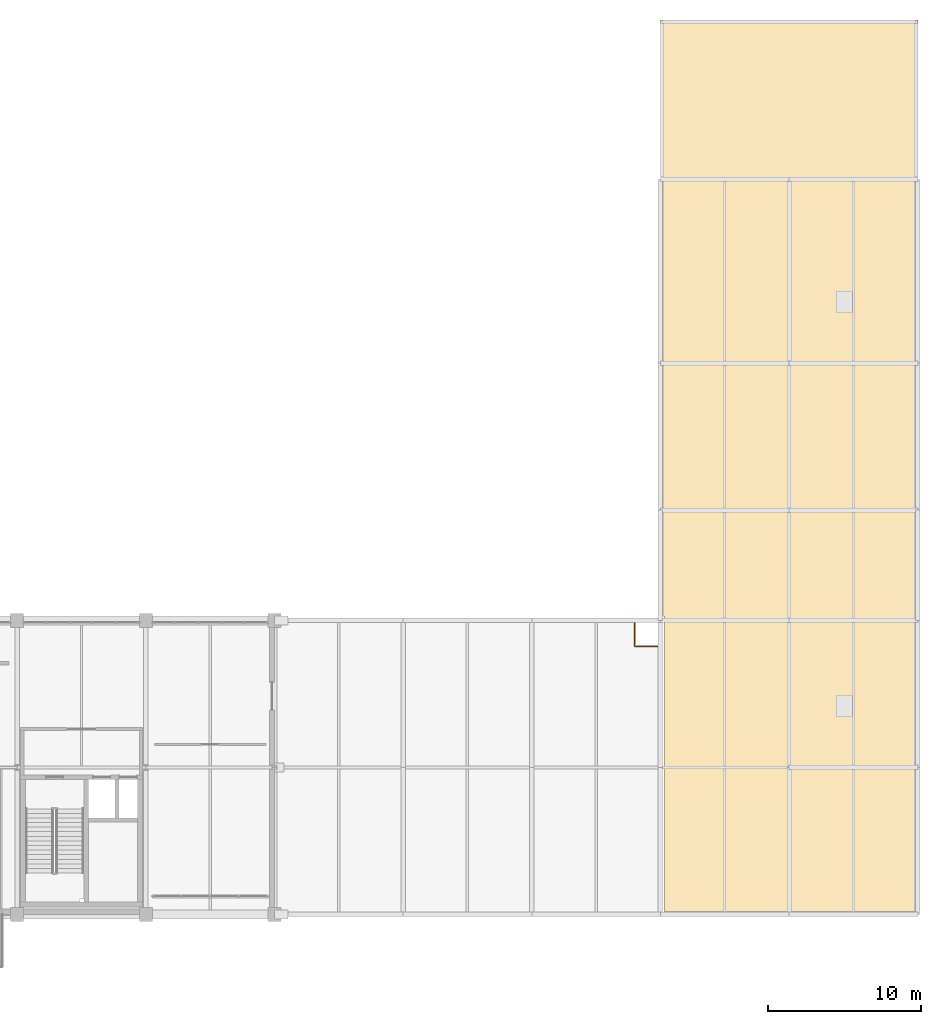
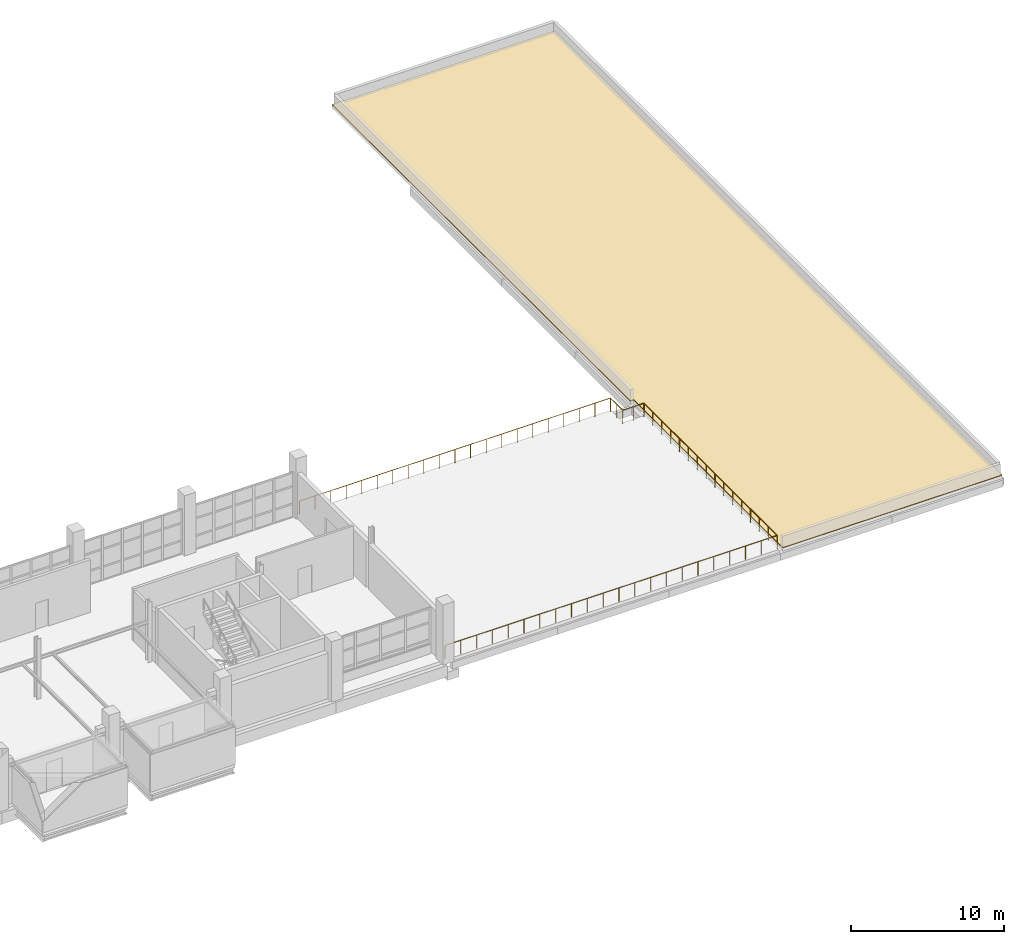
# One storey, part 29 of 29: 1 covering, 1 railing.
"""IFC4 building model written with IfcOpenShell, lengths in metres."""

import ifcopenshell
import ifcopenshell.guid

model = None  # the IFC model being written
_history = None  # IfcOwnerHistory: only IFC2X3 demands one
_inside = {}  # id of a spatial element -> (the spatial element, [elements in it])
_under = {}  # id of a project, library or spatial element -> (it, [spatial elements below it])
_declared = {}  # id of a project -> (the project, [libraries it declares])
_typed = {}  # id of a type object -> (the type object, [elements of that type])
_made_of = {}  # id of a material, layer set ... -> (it, [elements and type objects made of it])


def new_model(schema):
    """Start an empty IFC model of exactly this schema.

    Asked for "IFC4X3", IfcOpenShell would pick the latest addendum, in which some entities
    have other attributes; the version numbers below select the first issue.
    IFC2X3 requires an IfcOwnerHistory on every rooted entity: one is made here for all.
    """
    global model, _history
    if schema == "IFC4X3":
        model = ifcopenshell.file(schema_version=(4, 3, 0, 0))
    else:
        model = ifcopenshell.file(schema=schema)
    _inside.clear()
    _under.clear()
    _declared.clear()
    _typed.clear()
    _made_of.clear()
    _history = None
    if model.schema == "IFC2X3":
        org = make("IfcOrganization", Name="unknown")
        user = make(
            "IfcPersonAndOrganization",
            ThePerson=make("IfcPerson", FamilyName="unknown"),
            TheOrganization=org,
        )
        app = make(
            "IfcApplication",
            ApplicationDeveloper=org,
            Version="unknown",
            ApplicationFullName="unknown",
            ApplicationIdentifier="unknown",
        )
        _history = make(
            "IfcOwnerHistory",
            OwningUser=user,
            OwningApplication=app,
            ChangeAction="ADDED",
            CreationDate=0,
        )
    return model


def make(cls, **values):
    """One entity of the class cls with the attributes given. An attribute that is None is left unset."""
    return model.create_entity(
        cls, **{name: value for name, value in values.items() if value is not None}
    )


def rooted(cls, **values):
    """An entity with a GlobalId (a new one), such as an element, a storey or a relation."""
    return make(cls, GlobalId=ifcopenshell.guid.new(), OwnerHistory=_history, **values)


def si_unit(unit_type, name, prefix=None):
    """IfcSIUnit, for example si_unit("LENGTHUNIT", "METRE", prefix="MILLI")."""
    return make("IfcSIUnit", UnitType=unit_type, Prefix=prefix, Name=name)


def assignment(units):
    """IfcUnitAssignment: the units of a project."""
    return None if units is None else make("IfcUnitAssignment", Units=units)


def point(xyz):
    """IfcCartesianPoint."""
    return None if xyz is None else make("IfcCartesianPoint", Coordinates=xyz)


def direction(xyz):
    """IfcDirection."""
    return None if xyz is None else make("IfcDirection", DirectionRatios=xyz)


def frame(location, z_axis=None, x_axis=None):
    """IfcAxis2Placement3D, a coordinate frame: its origin and axes. An axis left out is left unset."""
    return make(
        "IfcAxis2Placement3D",
        Location=point(location),
        Axis=direction(z_axis),
        RefDirection=direction(x_axis),
    )


def frame_2d(location, x_axis=None):
    """IfcAxis2Placement2D, a coordinate frame in the plane: its origin and x axis."""
    return make(
        "IfcAxis2Placement2D", Location=point(location), RefDirection=direction(x_axis)
    )


def origin():
    """The frame at (0, 0, 0) with its axes left unset."""
    return frame((0.0, 0.0, 0.0))


def origin_2d():
    """The frame at (0, 0) in the plane with its x axis left unset."""
    return frame_2d((0.0, 0.0))


def place(relative_to, where):
    """IfcLocalPlacement: puts the frame where relative to a parent placement (None: the world)."""
    return make(
        "IfcLocalPlacement", PlacementRelTo=relative_to, RelativePlacement=where
    )


def context(
    kind, dimensions, precision=None, world=None, true_north=None, identifier=None
):
    """IfcGeometricRepresentationContext, for example the 3D "Model" context."""
    return make(
        "IfcGeometricRepresentationContext",
        ContextIdentifier=identifier,
        ContextType=kind,
        CoordinateSpaceDimension=dimensions,
        Precision=precision,
        WorldCoordinateSystem=world,
        TrueNorth=true_north,
    )


def subcontext(parent, identifier, kind, view, scale=None):
    """IfcGeometricRepresentationSubContext, for example "Body" below "Model"."""
    return make(
        "IfcGeometricRepresentationSubContext",
        ContextIdentifier=identifier,
        ContextType=kind,
        ParentContext=parent,
        TargetScale=scale,
        TargetView=view,
    )


def project(units=None, contexts=None):
    """IfcProject with its units and contexts."""
    return rooted(
        "IfcProject",
        Name="project",
        RepresentationContexts=contexts,
        UnitsInContext=assignment(units),
    )


def spatial(cls, under=None, at=None, **own):
    """A site, building, storey or space (cls), placed at a placement, below another one or the project."""
    s = rooted(cls, ObjectPlacement=at, **own)
    if under is not None:
        _under.setdefault(under.id(), (under, []))[1].append(s)
    return s


def polyline(points):
    """IfcPolyline through the points."""
    return make("IfcPolyline", Points=[point(p) for p in points])


def profile(cls, at=None, kind="AREA", **sizes):
    """A parametric profile (cls). Its sizes go by their IFC names, for example OverallWidth=200.0."""
    return make(cls, ProfileType=kind, Position=at, **sizes)


def circle(**sizes):
    """IfcCircleProfileDef."""
    return profile("IfcCircleProfileDef", **sizes)


def outline(outer, holes=None, kind="AREA"):
    """IfcArbitraryClosedProfileDef: a profile drawn as a closed curve; with holes, ...WithVoids."""
    if holes is None:
        return make("IfcArbitraryClosedProfileDef", ProfileType=kind, OuterCurve=outer)
    return make(
        "IfcArbitraryProfileDefWithVoids",
        ProfileType=kind,
        OuterCurve=outer,
        InnerCurves=holes,
    )


def extrude(swept, where, along, depth):
    """IfcExtrudedAreaSolid: the profile swept, set in the frame where, extruded along a direction by depth."""
    return make(
        "IfcExtrudedAreaSolid",
        SweptArea=swept,
        Position=where,
        ExtrudedDirection=direction(along),
        Depth=depth,
    )


def shape(context_of_items, identifier, shape_type, items):
    """IfcShapeRepresentation: the items that make up one representation, for example the "Body"."""
    return make(
        "IfcShapeRepresentation",
        ContextOfItems=context_of_items,
        RepresentationIdentifier=identifier,
        RepresentationType=shape_type,
        Items=items,
    )


def material(Name=None, Category=None):
    """IfcMaterial."""
    return make("IfcMaterial", Name=Name, Category=Category)


def layer(
    of_material, thickness, ventilated=None, Name=None, Category=None, Priority=None
):
    """IfcMaterialLayer: one layer of a wall or slab, of a material (None: an air gap)."""
    return make(
        "IfcMaterialLayer",
        Material=of_material,
        LayerThickness=thickness,
        IsVentilated=ventilated,
        Name=Name,
        Category=Category,
        Priority=Priority,
    )


def layer_set(layers, Name=None):
    """IfcMaterialLayerSet."""
    return make("IfcMaterialLayerSet", MaterialLayers=layers, LayerSetName=Name)


def made_of(thing, what):
    """Note that an element or type object is made of a material, layer set ...; save() writes the relation."""
    if what is not None:
        _made_of.setdefault(what.id(), (what, []))[1].append(thing)
    return thing


def type_object(cls, material=None, **own):
    """A type object (cls), such as IfcWallType, which elements share."""
    return made_of(rooted(cls, **own), material)


def element(
    cls,
    number,
    at=None,
    inside=None,
    cuts=None,
    type_object=None,
    material=None,
    context=None,
    identifier="Body",
    shape_type=None,
    held_by="IfcProductDefinitionShape",
    body=None,
    shapes=None,
    **own,
):
    """One element of the class cls, such as IfcWall. Its Tag is "e" and its number.

    at: its placement. inside: the storey or other place that contains it. cuts: it is an
    opening in that element (IfcRelVoidsElement). A single representation is given by context,
    identifier, shape_type and body (its items); several are given by shapes. held_by: the class
    of the entity that holds the representations. save() writes the other relations.
    """
    e = rooted(cls, Tag="e%d" % number, ObjectPlacement=at, **own)
    if body is not None:
        shapes = [shape(context, identifier, shape_type, body)]
    if shapes is not None:
        e.Representation = make(held_by, Representations=shapes)
    if inside is not None:
        _inside.setdefault(inside.id(), (inside, []))[1].append(e)
    if cuts is not None:
        rooted(
            "IfcRelVoidsElement", RelatingBuildingElement=cuts, RelatedOpeningElement=e
        )
    if type_object is not None:
        _typed.setdefault(type_object.id(), (type_object, []))[1].append(e)
    return made_of(e, material)


def aggregate(whole, parts):
    """IfcRelAggregates: a whole, such as a stair, and the parts it consists of."""
    return rooted("IfcRelAggregates", RelatingObject=whole, RelatedObjects=parts)


def save(model, path):
    """Write the relations noted so far, then the file.

    IfcRelAggregates (storeys below a building ...), IfcRelContainedInSpatialStructure (elements
    in a storey), IfcRelDefinesByType, IfcRelAssociatesMaterial and IfcRelDeclares: one each for
    every whole, place, type object, material and project.
    """
    for whole, parts in _under.values():
        aggregate(whole, parts)
    for where, things in _inside.values():
        rooted(
            "IfcRelContainedInSpatialStructure",
            RelatedElements=things,
            RelatingStructure=where,
        )
    for kind, things in _typed.values():
        rooted("IfcRelDefinesByType", RelatedObjects=things, RelatingType=kind)
    for what, things in _made_of.values():
        rooted("IfcRelAssociatesMaterial", RelatedObjects=things, RelatingMaterial=what)
    for by, libraries in _declared.values():
        rooted("IfcRelDeclares", RelatingContext=by, RelatedDefinitions=libraries)
    model.write(path)


model = new_model("IFC4")

# Units and contexts
model_context = context("Model", 3, precision=1e-05, world=origin(), true_north=direction((0.0, 1.0)))
body_context = subcontext(model_context, "Body", "Model", "MODEL_VIEW")
ifc_project = project(units=[si_unit("LENGTHUNIT", "METRE"), si_unit("AREAUNIT", "SQUARE_METRE"), si_unit("VOLUMEUNIT", "CUBIC_METRE"), si_unit("PLANEANGLEUNIT", "RADIAN"), si_unit("MASSUNIT", "GRAM", prefix="KILO")], contexts=[model_context])

# Site, building, storey
site_placement = place(None, origin())
site = spatial("IfcSite", under=ifc_project, at=site_placement, CompositionType="ELEMENT")
building_placement = place(site_placement, origin())
building = spatial("IfcBuilding", under=site, at=building_placement, Name="Veltarok Museum of Natural Sciences", CompositionType="ELEMENT")
storey_placement = place(building_placement, frame((0.0, 0.0, 26.39990234375)))
storey = spatial("IfcBuildingStorey", under=building, at=storey_placement, Name="L05", CompositionType="ELEMENT", Elevation=26.39990234375)

# Covering
ifc_material_1 = material(Name="EPDM waterproofing membrane")
ifc_layer = layer(ifc_material_1, 0.06005859375)
ifc_layer_set = layer_set([ifc_layer], Name="EPDM waterproofing membrane")
covering_type = type_object("IfcCoveringType", Name="EPDM Waterproofing and Acoustic Roof Membrane 60", PredefinedType="ROOFING", material=ifc_layer_set)
covering_placement = place(storey_placement, origin())
element("IfcCovering", 1, at=covering_placement, inside=storey, type_object=covering_type, Name="Roof Waterproofing RF-V5A", PredefinedType="ROOFING", context=body_context, shape_type="SweptSolid", body=[
    extrude(outline(polyline([(149.199951171875, 58.39990234375), (149.199951171875, 0.0), (132.64990234375, 0.0), (132.64990234375, 19.449951171875), (132.39990234375, 19.449951171875), (132.39990234375, 58.39990234375), (149.199951171875, 58.39990234375)])), origin(), (0.0, 0.0, 1.0), 0.06005859375),
])

# Railing
ifc_material_2 = material(Name="Steel S355J2", Category="steel")
railing_type = type_object("IfcRailingType", Name="Outdoor Terrace Steel and Laminated Glass Guardrail 1100", PredefinedType="GUARDRAIL", material=ifc_material_2)
railing_placement = place(storey_placement, frame((107.2451171875, 0.10009765625, 0.0)))
element("IfcRailing", 2, at=railing_placement, inside=storey, type_object=railing_type, Name="Terrace Guardrail TER-L05-E1", PredefinedType="GUARDRAIL", context=body_context, shape_type="SweptSolid", body=[
    extrude(circle(Radius=0.02490234375, at=origin_2d()), frame((0.0, 0.0, 1.0751953125), z_axis=(1.0, 0.0, 0.0), x_axis=(0.0, 1.0, 0.0)), (0.0, 0.0, 1.0), 25.054931640625),
    extrude(circle(Radius=0.02490234375, at=origin_2d()), frame((25.054931640625, 0.0, 1.0751953125), z_axis=(0.0, 1.0, 0.0), x_axis=(-1.0, 0.0, 0.0)), (0.0, 0.0, 1.0), 17.39990234375),
    extrude(circle(Radius=0.02490234375, at=origin_2d()), frame((25.054931640625, 17.39990234375, 1.0751953125), z_axis=(-1.0, 0.0, 0.0), x_axis=(0.0, -1.0, 0.0)), (0.0, 0.0, 1.0), 1.60009765625),
    extrude(circle(Radius=0.02490234375, at=origin_2d()), frame((23.454833984375, 17.39990234375, 1.0751953125), z_axis=(0.0, 1.0, 0.0), x_axis=(-1.0, 0.0, 0.0)), (0.0, 0.0, 1.0), 1.60009765625),
    extrude(circle(Radius=0.02490234375, at=origin_2d()), frame((23.454833984375, 19.0, 1.0751953125), z_axis=(-1.0, 0.0, 0.0), x_axis=(0.0, -1.0, 0.0)), (0.0, 0.0, 1.0), 23.454833984375),
    extrude(circle(Radius=0.02099609375, at=origin_2d()), origin(), (0.0, 0.0, 1.0), 1.050048828125),
    extrude(circle(Radius=0.02099609375, at=origin_2d()), frame((1.193115234375, 0.0, 0.0)), (0.0, 0.0, 1.0), 1.050048828125),
    extrude(circle(Radius=0.02099609375, at=origin_2d()), frame((2.38623046875, 0.0, 0.0)), (0.0, 0.0, 1.0), 1.050048828125),
    extrude(circle(Radius=0.02099609375, at=origin_2d()), frame((3.579345703125, 0.0, 0.0)), (0.0, 0.0, 1.0), 1.050048828125),
    extrude(circle(Radius=0.02099609375, at=origin_2d()), frame((4.7724609375, 0.0, 0.0)), (0.0, 0.0, 1.0), 1.050048828125),
    extrude(circle(Radius=0.02099609375, at=origin_2d()), frame((5.965576171875, 0.0, 0.0)), (0.0, 0.0, 1.0), 1.050048828125),
    extrude(circle(Radius=0.02099609375, at=origin_2d()), frame((7.158447265625, 0.0, 0.0)), (0.0, 0.0, 1.0), 1.050048828125),
    extrude(circle(Radius=0.02099609375, at=origin_2d()), frame((8.3515625, 0.0, 0.0)), (0.0, 0.0, 1.0), 1.050048828125),
    extrude(circle(Radius=0.02099609375, at=origin_2d()), frame((9.544677734375, 0.0, 0.0)), (0.0, 0.0, 1.0), 1.050048828125),
    extrude(circle(Radius=0.02099609375, at=origin_2d()), frame((10.73779296875, 0.0, 0.0)), (0.0, 0.0, 1.0), 1.050048828125),
    extrude(circle(Radius=0.02099609375, at=origin_2d()), frame((11.930908203125, 0.0, 0.0)), (0.0, 0.0, 1.0), 1.050048828125),
    extrude(circle(Radius=0.02099609375, at=origin_2d()), frame((13.1240234375, 0.0, 0.0)), (0.0, 0.0, 1.0), 1.050048828125),
    extrude(circle(Radius=0.02099609375, at=origin_2d()), frame((14.317138671875, 0.0, 0.0)), (0.0, 0.0, 1.0), 1.050048828125),
    extrude(circle(Radius=0.02099609375, at=origin_2d()), frame((15.51025390625, 0.0, 0.0)), (0.0, 0.0, 1.0), 1.050048828125),
    extrude(circle(Radius=0.02099609375, at=origin_2d()), frame((16.703369140625, 0.0, 0.0)), (0.0, 0.0, 1.0), 1.050048828125),
    extrude(circle(Radius=0.02099609375, at=origin_2d()), frame((17.896484375, 0.0, 0.0)), (0.0, 0.0, 1.0), 1.050048828125),
    extrude(circle(Radius=0.02099609375, at=origin_2d()), frame((19.08935546875, 0.0, 0.0)), (0.0, 0.0, 1.0), 1.050048828125),
    extrude(circle(Radius=0.02099609375, at=origin_2d()), frame((20.282470703125, 0.0, 0.0)), (0.0, 0.0, 1.0), 1.050048828125),
    extrude(circle(Radius=0.02099609375, at=origin_2d()), frame((21.4755859375, 0.0, 0.0)), (0.0, 0.0, 1.0), 1.050048828125),
    extrude(circle(Radius=0.02099609375, at=origin_2d()), frame((22.668701171875, 0.0, 0.0)), (0.0, 0.0, 1.0), 1.050048828125),
    extrude(circle(Radius=0.02099609375, at=origin_2d()), frame((23.86181640625, 0.0, 0.0)), (0.0, 0.0, 1.0), 1.050048828125),
    extrude(circle(Radius=0.02099609375, at=origin_2d()), frame((25.054931640625, 0.0, 0.0)), (0.0, 0.0, 1.0), 1.050048828125),
    extrude(circle(Radius=0.02099609375, at=origin_2d()), frame((25.054931640625, 1.159912109375, 0.0)), (0.0, 0.0, 1.0), 1.050048828125),
    extrude(circle(Radius=0.02099609375, at=origin_2d()), frame((25.054931640625, 2.320068359375, 0.0)), (0.0, 0.0, 1.0), 1.050048828125),
    extrude(circle(Radius=0.02099609375, at=origin_2d()), frame((25.054931640625, 3.47998046875, 0.0)), (0.0, 0.0, 1.0), 1.050048828125),
    extrude(circle(Radius=0.02099609375, at=origin_2d()), frame((25.054931640625, 4.639892578125, 0.0)), (0.0, 0.0, 1.0), 1.050048828125),
    extrude(circle(Radius=0.02099609375, at=origin_2d()), frame((25.054931640625, 5.800048828125, 0.0)), (0.0, 0.0, 1.0), 1.050048828125),
    extrude(circle(Radius=0.02099609375, at=origin_2d()), frame((25.054931640625, 6.9599609375, 0.0)), (0.0, 0.0, 1.0), 1.050048828125),
    extrude(circle(Radius=0.02099609375, at=origin_2d()), frame((25.054931640625, 8.119873046875, 0.0)), (0.0, 0.0, 1.0), 1.050048828125),
    extrude(circle(Radius=0.02099609375, at=origin_2d()), frame((25.054931640625, 9.280029296875, 0.0)), (0.0, 0.0, 1.0), 1.050048828125),
    extrude(circle(Radius=0.02099609375, at=origin_2d()), frame((25.054931640625, 10.43994140625, 0.0)), (0.0, 0.0, 1.0), 1.050048828125),
    extrude(circle(Radius=0.02099609375, at=origin_2d()), frame((25.054931640625, 11.599853515625, 0.0)), (0.0, 0.0, 1.0), 1.050048828125),
    extrude(circle(Radius=0.02099609375, at=origin_2d()), frame((25.054931640625, 12.760009765625, 0.0)), (0.0, 0.0, 1.0), 1.050048828125),
    extrude(circle(Radius=0.02099609375, at=origin_2d()), frame((25.054931640625, 13.919921875, 0.0)), (0.0, 0.0, 1.0), 1.050048828125),
    extrude(circle(Radius=0.02099609375, at=origin_2d()), frame((25.054931640625, 15.079833984375, 0.0)), (0.0, 0.0, 1.0), 1.050048828125),
    extrude(circle(Radius=0.02099609375, at=origin_2d()), frame((25.054931640625, 16.239990234375, 0.0)), (0.0, 0.0, 1.0), 1.050048828125),
    extrude(circle(Radius=0.02099609375, at=origin_2d()), frame((25.054931640625, 17.39990234375, 0.0)), (0.0, 0.0, 1.0), 1.050048828125),
    extrude(circle(Radius=0.02099609375, at=origin_2d()), frame((24.2548828125, 17.39990234375, 0.0)), (0.0, 0.0, 1.0), 1.050048828125),
    extrude(circle(Radius=0.02099609375, at=origin_2d()), frame((23.454833984375, 17.39990234375, 0.0)), (0.0, 0.0, 1.0), 1.050048828125),
    extrude(circle(Radius=0.02099609375, at=origin_2d()), frame((23.454833984375, 18.199951171875, 0.0)), (0.0, 0.0, 1.0), 1.050048828125),
    extrude(circle(Radius=0.02099609375, at=origin_2d()), frame((23.454833984375, 19.0, 0.0)), (0.0, 0.0, 1.0), 1.050048828125),
    extrude(circle(Radius=0.02099609375, at=origin_2d()), frame((22.281982421875, 19.0, 0.0)), (0.0, 0.0, 1.0), 1.050048828125),
    extrude(circle(Radius=0.02099609375, at=origin_2d()), frame((21.109375, 19.0, 0.0)), (0.0, 0.0, 1.0), 1.050048828125),
    extrude(circle(Radius=0.02099609375, at=origin_2d()), frame((19.9365234375, 19.0, 0.0)), (0.0, 0.0, 1.0), 1.050048828125),
    extrude(circle(Radius=0.02099609375, at=origin_2d()), frame((18.763916015625, 19.0, 0.0)), (0.0, 0.0, 1.0), 1.050048828125),
    extrude(circle(Radius=0.02099609375, at=origin_2d()), frame((17.591064453125, 19.0, 0.0)), (0.0, 0.0, 1.0), 1.050048828125),
    extrude(circle(Radius=0.02099609375, at=origin_2d()), frame((16.41845703125, 19.0, 0.0)), (0.0, 0.0, 1.0), 1.050048828125),
    extrude(circle(Radius=0.02099609375, at=origin_2d()), frame((15.24560546875, 19.0, 0.0)), (0.0, 0.0, 1.0), 1.050048828125),
    extrude(circle(Radius=0.02099609375, at=origin_2d()), frame((14.072998046875, 19.0, 0.0)), (0.0, 0.0, 1.0), 1.050048828125),
    extrude(circle(Radius=0.02099609375, at=origin_2d()), frame((12.900146484375, 19.0, 0.0)), (0.0, 0.0, 1.0), 1.050048828125),
    extrude(circle(Radius=0.02099609375, at=origin_2d()), frame((11.7275390625, 19.0, 0.0)), (0.0, 0.0, 1.0), 1.050048828125),
    extrude(circle(Radius=0.02099609375, at=origin_2d()), frame((10.5546875, 19.0, 0.0)), (0.0, 0.0, 1.0), 1.050048828125),
    extrude(circle(Radius=0.02099609375, at=origin_2d()), frame((9.3818359375, 19.0, 0.0)), (0.0, 0.0, 1.0), 1.050048828125),
    extrude(circle(Radius=0.02099609375, at=origin_2d()), frame((8.209228515625, 19.0, 0.0)), (0.0, 0.0, 1.0), 1.050048828125),
    extrude(circle(Radius=0.02099609375, at=origin_2d()), frame((7.036376953125, 19.0, 0.0)), (0.0, 0.0, 1.0), 1.050048828125),
    extrude(circle(Radius=0.02099609375, at=origin_2d()), frame((5.86376953125, 19.0, 0.0)), (0.0, 0.0, 1.0), 1.050048828125),
    extrude(circle(Radius=0.02099609375, at=origin_2d()), frame((4.69091796875, 19.0, 0.0)), (0.0, 0.0, 1.0), 1.050048828125),
    extrude(circle(Radius=0.02099609375, at=origin_2d()), frame((3.518310546875, 19.0, 0.0)), (0.0, 0.0, 1.0), 1.050048828125),
    extrude(circle(Radius=0.02099609375, at=origin_2d()), frame((2.345458984375, 19.0, 0.0)), (0.0, 0.0, 1.0), 1.050048828125),
    extrude(circle(Radius=0.02099609375, at=origin_2d()), frame((1.1728515625, 19.0, 0.0)), (0.0, 0.0, 1.0), 1.050048828125),
    extrude(circle(Radius=0.02099609375, at=origin_2d()), frame((0.0, 19.0, 0.0)), (0.0, 0.0, 1.0), 1.050048828125),
])

save(model, "model.ifc")
